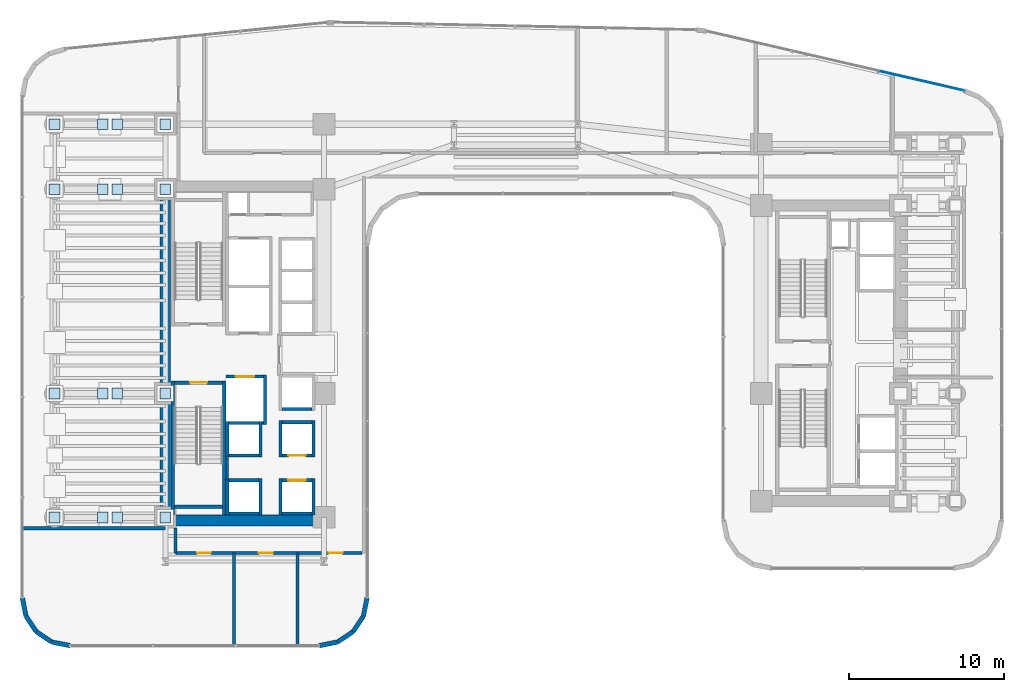
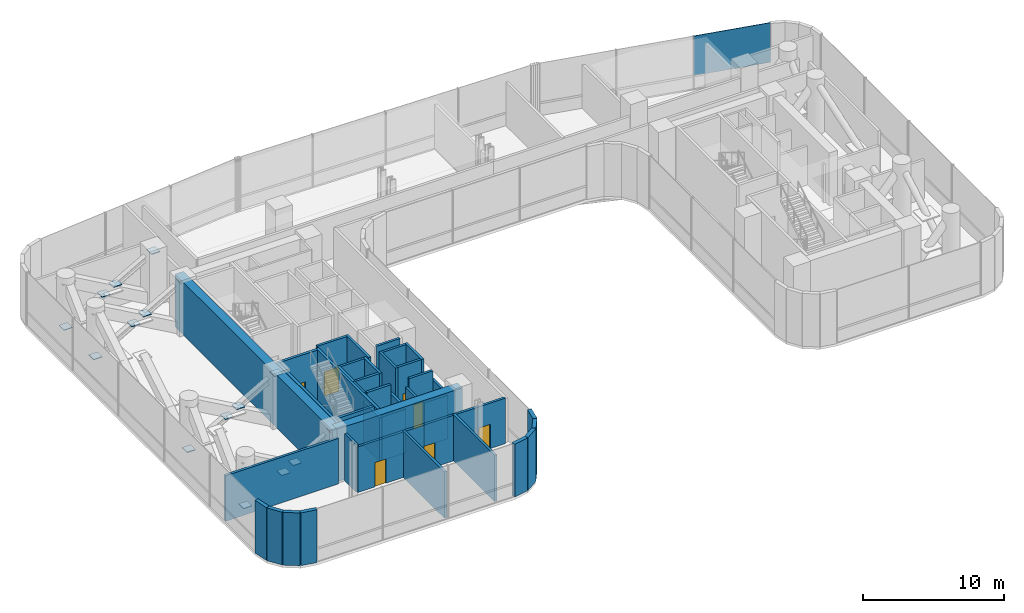
# One storey, part 32 of 39: 39 walls, 17 plates, 7 doors, 7 openings, 1 element without a shape of its own.
"""IFC4 building model written with IfcOpenShell, lengths in metres."""

from ifc_helpers import new_model, si_unit, direction, frame, frame_2d, origin, origin_2d, place, context, subcontext, project, spatial, rectangle, extrude, source, transform, mapped, material, layer, layer_set, type_object, element, fill, aggregate, save


model = new_model("IFC4")

# Units and contexts
model_context = context("Model", 3, precision=1e-05, world=origin(), true_north=direction((0.0, 1.0)))
body_context = subcontext(model_context, "Body", "Model", "MODEL_VIEW")
ifc_project = project(units=[si_unit("LENGTHUNIT", "METRE"), si_unit("AREAUNIT", "SQUARE_METRE"), si_unit("VOLUMEUNIT", "CUBIC_METRE"), si_unit("PLANEANGLEUNIT", "RADIAN"), si_unit("MASSUNIT", "GRAM", prefix="KILO")], contexts=[model_context])

# Site, building, storey
site_placement = place(None, origin())
site = spatial("IfcSite", under=ifc_project, at=site_placement, CompositionType="ELEMENT")
building_placement = place(site_placement, origin())
building = spatial("IfcBuilding", under=site, at=building_placement, Name="Valdorenza Pilgrim Sanctuary Tower", CompositionType="ELEMENT")
storey_placement = place(building_placement, frame((0.0, 0.0, 96.300048828125)))
storey = spatial("IfcBuildingStorey", under=building, at=storey_placement, Name="L24", CompositionType="ELEMENT", Elevation=96.300048828125)

# Plates
ifc_material_1 = material(Name="Steel ASTM A572 Grade 42", Category="steel")
ifc_layer_1 = layer(ifc_material_1, 0.06005859375, Name="Steel ASTM A572 Grade 42")
ifc_layer_set_1 = layer_set([ifc_layer_1], Name="Steel ASTM A572 Grade 42")
plate_type_1 = type_object("IfcPlateType", Name="PLT-CAP-60", PredefinedType="SHEET", material=ifc_layer_set_1)
shared_shape_1 = source(origin(), body_context, "Body", "SweptSolid", [
    extrude(rectangle(XDim=0.699951171875, YDim=0.699951171875, at=origin_2d()), origin(), (0.0, 0.0, 1.0), 0.06005859375),
])
for number, where, z_axis, x_axis, name in (
    (1, (-22.64990234375, -10.60009765625, 4.219970703125), (0.0, 0.0, 1.0), (1.0, 0.0, 0.0), "L24 Outrigger Truss Counter-Diagonal WA1B Lower Segment End Connection Plate 1"),
    (2, (-25.758056640625, -10.60009765625, 2.45947265625), (0.0, 0.0, 1.0), (1.0, 0.0, 0.0), "L24 Outrigger Truss Counter-Diagonal WA1B Lower Segment End Connection Plate 2"),
    (3, (-26.69189453125, -10.60009765625, 1.930419921875), (0.0, 0.0, 1.0), (1.0, 0.0, 0.0), "L24 Outrigger Truss Counter-Diagonal WA1B Upper Segment End Connection Plate 1"),
    (4, (-29.800048828125, -10.60009765625, 0.169921875), (0.0, 0.0, 1.0), (1.0, 0.0, 0.0), "L24 Outrigger Truss Counter-Diagonal WA1B Upper Segment End Connection Plate 2"),
    (5, (-22.64990234375, -2.60009765625, 4.219970703125), (0.0, 0.0, 1.0), (1.0, 0.0, 0.0), "L24 Outrigger Truss Counter-Diagonal WA2B Lower Segment End Connection Plate 1"),
    (6, (-25.758056640625, -2.60009765625, 2.45947265625), (0.0, 0.0, 1.0), (1.0, 0.0, 0.0), "L24 Outrigger Truss Counter-Diagonal WA2B Lower Segment End Connection Plate 2"),
    (7, (-26.69189453125, -2.60009765625, 1.930419921875), (0.0, 0.0, 1.0), (1.0, 0.0, 0.0), "L24 Outrigger Truss Counter-Diagonal WA2B Upper Segment End Connection Plate 1"),
    (8, (-29.800048828125, -2.60009765625, 0.169921875), (0.0, 0.0, 1.0), (1.0, 0.0, 0.0), "L24 Outrigger Truss Counter-Diagonal WA2B Upper Segment End Connection Plate 2"),
    (9, (-22.64990234375, 10.60009765625, 4.219970703125), (0.0, 0.0, 1.0), (1.0, 0.0, 0.0), "L24 Outrigger Truss Counter-Diagonal WA3B Lower Segment End Connection Plate 1"),
    (10, (-25.758056640625, 10.60009765625, 2.45947265625), (0.0, 0.0, 1.0), (1.0, 0.0, 0.0), "L24 Outrigger Truss Counter-Diagonal WA3B Lower Segment End Connection Plate 2"),
    (11, (-26.69189453125, 10.60009765625, 1.930419921875), (0.0, 0.0, 1.0), (1.0, 0.0, 0.0), "L24 Outrigger Truss Counter-Diagonal WA3B Upper Segment End Connection Plate 1"),
    (12, (-29.800048828125, 10.60009765625, 0.169921875), (0.0, 0.0, 1.0), (1.0, 0.0, 0.0), "L24 Outrigger Truss Counter-Diagonal WA3B Upper Segment End Connection Plate 2"),
    (13, (-22.64990234375, 14.800048828125, 4.219970703125), (0.0, 0.0, 1.0), (1.0, 0.0, 0.0), "L24 Outrigger Truss Counter-Diagonal WA4B Lower Segment End Connection Plate 1"),
    (14, (-25.758056640625, 14.800048828125, 2.45947265625), (0.0, 0.0, 1.0), (1.0, 0.0, 0.0), "L24 Outrigger Truss Counter-Diagonal WA4B Lower Segment End Connection Plate 2"),
    (15, (-26.69189453125, 14.800048828125, 1.930419921875), (0.0, 0.0, 1.0), (1.0, 0.0, 0.0), "L24 Outrigger Truss Counter-Diagonal WA4B Upper Segment End Connection Plate 1"),
    (16, (-29.800048828125, 14.800048828125, 0.169921875), (0.0, 0.0, 1.0), (1.0, 0.0, 0.0), "L24 Outrigger Truss Counter-Diagonal WA4B Upper Segment End Connection Plate 2"),
):
    element("IfcPlate", number, at=place(storey_placement, frame(where, z_axis=z_axis, x_axis=x_axis)), inside=storey, type_object=plate_type_1, Name=name, PredefinedType="SHEET", context=body_context, shape_type="MappedRepresentation", body=[
        mapped(shared_shape_1, transform((0.0, 0.0, 0.0), x_axis=(1.0, 0.0, 0.0), y_axis=(0.0, 1.0, 0.0), z_axis=(0.0, 0.0, 1.0), scale=1.0)),
    ])

# Curtain wall, plate
ifc_material_2 = material(Name="Curtain-wall IGU glazing", Category="glass")
curtain_wall_type = type_object("IfcCurtainWallType", Name="CW-SYS-03", PredefinedType="NOTDEFINED", material=ifc_material_2)
curtain_wall_placement = place(storey_placement, origin())
curtain_wall = element("IfcCurtainWall", 17, at=curtain_wall_placement, inside=storey, type_object=curtain_wall_type, Name="L24 Curtain Wall CW-L24-1-16", PredefinedType="NOTDEFINED")
ifc_material_3 = material(Name="Champagne anodised aluminium", Category="aluminium")
ifc_layer_2 = layer(ifc_material_3, 0.080078125, Name="Champagne anodised aluminium")
ifc_layer_set_2 = layer_set([ifc_layer_2], Name="Champagne anodised aluminium")
plate_type_2 = type_object("IfcPlateType", Name="LVR-PLT-ALU", PredefinedType="USERDEFINED", material=ifc_layer_set_2)
shared_shape_2 = source(origin(), body_context, "Body", "SweptSolid", [
    extrude(rectangle(XDim=5.6884765625, YDim=0.050048828125, at=origin_2d()), origin(), (0.0, 0.0, 1.0), 3.419921875),
])
plate_placement = place(storey_placement, frame((26.20458984375, 17.609130859375, 1.1298828125), z_axis=(0.0, 0.0, 1.0), x_axis=(0.974389691758, -0.224866023659, 0.0)))
plate = element("IfcPlate", 18, at=plate_placement, type_object=plate_type_2, Name="CW-L24-1-16 Facade Panel 3", ObjectType="LOUVRE", PredefinedType="USERDEFINED", context=body_context, shape_type="MappedRepresentation", body=[
    mapped(shared_shape_2, transform((0.0, 0.0, 0.0), x_axis=(1.0, 0.0, 0.0), y_axis=(0.0, 1.0, 0.0), z_axis=(0.0, 0.0, 1.0), scale=1.0)),
])
aggregate(curtain_wall, [plate])

# Walls
ifc_material_4 = material(Name="Acoustic twin-stud gypsum partition", Category="gypsum")
ifc_layer_3 = layer(ifc_material_4, 0.159912109375, Name="Acoustic twin-stud gypsum partition")
ifc_layer_set_3 = layer_set([ifc_layer_3], Name="Acoustic twin-stud gypsum partition")
wall_type_1 = type_object("IfcWallType", Name="WAL-COR-160", PredefinedType="PARTITIONING", material=ifc_layer_set_3)
wall_1_placement = place(storey_placement, frame((-18.64990234375, -8.179931640625, 0.0), z_axis=(0.0, 0.0, 1.0), x_axis=(0.0, 1.0, 0.0)))
element("IfcWall", 19, at=wall_1_placement, inside=storey, type_object=wall_type_1, Name="L24 Core A South Lift Hall West Wall", PredefinedType="PARTITIONING", context=body_context, shape_type="SweptSolid", body=[
    extrude(rectangle(XDim=1.559814453125, YDim=0.159912109375, at=frame_2d((0.77978515625, 0.0))), origin(), (0.0, 0.0, 1.0), 4.56005859375),
])
ifc_material_5 = material(Name="Concrete C60/75", Category="concrete")
ifc_layer_4 = layer(ifc_material_5, 0.699951171875, Name="Concrete C60/75")
ifc_layer_set_4 = layer_set([ifc_layer_4], Name="Concrete C60/75")
wall_type_2 = type_object("IfcWallType", Name="WAL-COR-700", PredefinedType="SHEAR", material=ifc_layer_set_4)
wall_2_placement = place(storey_placement, frame((-22.64990234375, -11.14990234375, 0.0), z_axis=(0.0, 0.0, 1.0), x_axis=(0.0, 1.0, 0.0)))
element("IfcWall", 20, at=wall_2_placement, inside=storey, type_object=wall_type_2, Name="L24 Split Core A Shear Wall W", PredefinedType="SHEAR", context=body_context, shape_type="SweptSolid", body=[
    extrude(rectangle(XDim=22.2998046875, YDim=0.699951171875, at=frame_2d((11.14990234375, 0.0))), origin(), (0.0, 0.0, 1.0), 4.56005859375),
])
wall_3_placement = place(storey_placement, frame((-22.64990234375, -10.800048828125, 0.0), z_axis=(0.0, 0.0, 1.0), x_axis=(1.0, 0.0, 0.0)))
element("IfcWall", 21, at=wall_3_placement, inside=storey, type_object=wall_type_2, Name="L24 Split Core A Shear Wall S", PredefinedType="SHEAR", context=body_context, shape_type="SweptSolid", body=[
    extrude(rectangle(XDim=10.25, YDim=0.699951171875, at=frame_2d((5.125, 0.0))), origin(), (0.0, 0.0, 1.0), 4.56005859375),
])
ifc_material_6 = material(Name="Honed travertine limestone", Category="masonry")
ifc_layer_5 = layer(ifc_material_6, 0.300048828125, Name="Honed travertine limestone")
ifc_layer_set_5 = layer_set([ifc_layer_5], Name="Honed travertine limestone")
wall_type_3 = type_object("IfcWallType", Name="WAL-EXT-300", PredefinedType="SOLIDWALL", material=ifc_layer_set_5)
wall_4_placement = place(storey_placement, frame((-9.610107421875, -15.789306640625, 0.0), z_axis=(0.0, 0.0, 1.0), x_axis=(-0.194996050505, -0.980804027463, 0.0)))
element("IfcWall", 22, at=wall_4_placement, inside=storey, type_object=wall_type_3, Name="L24 Rounded Wind-Corner Stone Pier 42", PredefinedType="SOLIDWALL", context=body_context, shape_type="SweptSolid", body=[
    extrude(rectangle(XDim=1.2158203125, YDim=0.300048828125, at=frame_2d((0.60791015625, 0.0))), origin(), (0.0, 0.0, 1.0), 4.56005859375),
])
for number, where, z_axis, x_axis, name in (
    (23, (-9.84716796875, -16.981689453125, 0.0), (0.0, 0.0, 1.0), (-0.555635100982, -0.831426265255, 0.0), "L24 Rounded Wind-Corner Stone Pier 43"),
    (24, (-10.5166015625, -17.9833984375, 0.0), (0.0, 0.0, 1.0), (-0.831426265255, -0.555635100982, 0.0), "L24 Rounded Wind-Corner Stone Pier 44"),
):
    element("IfcWall", number, at=place(storey_placement, frame(where, z_axis=z_axis, x_axis=x_axis)), inside=storey, type_object=wall_type_3, Name=name, PredefinedType="SOLIDWALL", context=body_context, shape_type="SweptSolid", body=[
        extrude(rectangle(XDim=1.204833984375, YDim=0.300048828125, at=frame_2d((0.6025390625, 0.0))), origin(), (0.0, 0.0, 1.0), 4.56005859375),
    ])
for number, where, z_axis, x_axis, name in (
    (25, (-11.518310546875, -18.65283203125, 0.0), (0.0, 0.0, 1.0), (-0.980804027463, -0.194996050505, 0.0), "L24 Rounded Wind-Corner Stone Pier 45"),
    (26, (-28.789306640625, -18.889892578125, 0.0), (0.0, 0.0, 1.0), (-0.980804027463, 0.194996050505, 0.0), "L24 Rounded Wind-Corner Stone Pier 47"),
):
    element("IfcWall", number, at=place(storey_placement, frame(where, z_axis=z_axis, x_axis=x_axis)), inside=storey, type_object=wall_type_3, Name=name, PredefinedType="SOLIDWALL", context=body_context, shape_type="SweptSolid", body=[
        extrude(rectangle(XDim=1.2158203125, YDim=0.300048828125, at=frame_2d((0.60791015625, 0.0))), origin(), (0.0, 0.0, 1.0), 4.56005859375),
    ])
for number, where, z_axis, x_axis, name in (
    (27, (-29.981689453125, -18.65283203125, 0.0), (0.0, 0.0, 1.0), (-0.831426265255, 0.555635100982, 0.0), "L24 Rounded Wind-Corner Stone Pier 48"),
    (28, (-30.9833984375, -17.9833984375, 0.0), (0.0, 0.0, 1.0), (-0.555635100982, 0.831426265255, 0.0), "L24 Rounded Wind-Corner Stone Pier 49"),
):
    element("IfcWall", number, at=place(storey_placement, frame(where, z_axis=z_axis, x_axis=x_axis)), inside=storey, type_object=wall_type_3, Name=name, PredefinedType="SOLIDWALL", context=body_context, shape_type="SweptSolid", body=[
        extrude(rectangle(XDim=1.204833984375, YDim=0.300048828125, at=frame_2d((0.6025390625, 0.0))), origin(), (0.0, 0.0, 1.0), 4.56005859375),
    ])
wall_5_placement = place(storey_placement, frame((-31.65283203125, -16.981689453125, 0.0), z_axis=(0.0, 0.0, 1.0), x_axis=(-0.194996050505, 0.980804027463, 0.0)))
element("IfcWall", 29, at=wall_5_placement, inside=storey, type_object=wall_type_3, Name="L24 Rounded Wind-Corner Stone Pier 50", PredefinedType="SOLIDWALL", context=body_context, shape_type="SweptSolid", body=[
    extrude(rectangle(XDim=1.2158203125, YDim=0.300048828125, at=frame_2d((0.60791015625, 0.0))), origin(), (0.0, 0.0, 1.0), 4.56005859375),
])
ifc_material_7 = material(Name="Gypsum shaftwall partition", Category="gypsum")
ifc_layer_6 = layer(ifc_material_7, 0.199951171875, Name="Gypsum shaftwall partition")
ifc_layer_set_6 = layer_set([ifc_layer_6], Name="Gypsum shaftwall partition")
wall_type_4 = type_object("IfcWallType", Name="WAL-FFL-200", PredefinedType="PARTITIONING", material=ifc_layer_set_6)
wall_6_placement = place(storey_placement, frame((-31.889892578125, -11.300048828125, 0.0), z_axis=(0.0, 0.0, 1.0), x_axis=(1.0, 0.0, 0.0)))
element("IfcWall", 30, at=wall_6_placement, inside=storey, type_object=wall_type_4, Name="L24 L24 Outrigger Bay South Wall", PredefinedType="PARTITIONING", context=body_context, shape_type="SweptSolid", body=[
    extrude(rectangle(XDim=9.239990234375, YDim=0.199951171875, at=frame_2d((4.6201171875, 0.0))), origin(), (0.0, 0.0, 1.0), 3.933837890625),
])

# Wall, openings, doors
wall_7_placement = place(storey_placement, frame((-22.0, -12.89990234375, 0.0), z_axis=(0.0, 0.0, 1.0), x_axis=(1.0, 0.0, 0.0)))
wall_7 = element("IfcWall", 31, at=wall_7_placement, inside=storey, type_object=wall_type_4, Name="L24 L24 South Plant Corridor Wall", PredefinedType="PARTITIONING", context=body_context, shape_type="SweptSolid", body=[
    extrude(rectangle(XDim=12.050048828125, YDim=0.199951171875, at=frame_2d((6.02490234375, 0.0))), origin(), (0.0, 0.0, 1.0), 3.933837890625),
])
opening_1_placement = place(wall_7_placement, frame((1.39990234375, 0.0, 0.0)))
opening_1 = element("IfcOpeningElement", 32, at=opening_1_placement, cuts=wall_7, Name="Opening DR-RM1", PredefinedType="OPENING", context=body_context, shape_type="SweptSolid", body=[
    extrude(rectangle(XDim=0.89990234375, YDim=2.10009765625, at=frame_2d((0.449951171875, 1.050048828125))), frame((0.0, 0.11474609375, 0.0), z_axis=(0.0, -1.0, 0.0), x_axis=(1.0, 0.0, 0.0)), (0.0, 0.0, 1.0), 0.229736328125),
])
opening_2_placement = place(wall_7_placement, frame((5.39990234375, 0.0, 0.0)))
opening_2 = element("IfcOpeningElement", 33, at=opening_2_placement, cuts=wall_7, Name="Opening DR-RM1", PredefinedType="OPENING", context=body_context, shape_type="SweptSolid", body=[
    extrude(rectangle(XDim=0.89990234375, YDim=2.10009765625, at=frame_2d((0.449951171875, 1.050048828125))), frame((0.0, 0.11474609375, 0.0), z_axis=(0.0, -1.0, 0.0), x_axis=(1.0, 0.0, 0.0)), (0.0, 0.0, 1.0), 0.229736328125),
])
opening_3_placement = place(wall_7_placement, frame((9.89990234375, 0.0, 0.0)))
opening_3 = element("IfcOpeningElement", 34, at=opening_3_placement, cuts=wall_7, Name="Opening DR-RM1", PredefinedType="OPENING", context=body_context, shape_type="SweptSolid", body=[
    extrude(rectangle(XDim=0.89990234375, YDim=2.10009765625, at=frame_2d((0.449951171875, 1.050048828125))), frame((0.0, 0.11474609375, 0.0), z_axis=(0.0, -1.0, 0.0), x_axis=(1.0, 0.0, 0.0)), (0.0, 0.0, 1.0), 0.229736328125),
])
ifc_material_8 = material(Name="Solid-core European oak timber", Category="wood")
door_type_1 = type_object("IfcDoorType", Name="DR-ROOM-900", OperationType="NOTDEFINED", PredefinedType="DOOR", material=ifc_material_8)
door_1_placement = place(opening_1_placement, origin())
door_1 = element("IfcDoor", 35, at=door_1_placement, inside=storey, type_object=door_type_1, Name="L24 L24 Chilled-Water Booster Plant Room Door", OperationType="SINGLE_SWING_RIGHT", OverallHeight=2.10009765625, OverallWidth=0.89990234375, PredefinedType="DOOR", context=body_context, shape_type="SweptSolid", body=[
    extrude(rectangle(XDim=0.89990234375, YDim=2.10009765625, at=frame_2d((0.449951171875, 1.050048828125))), frame((0.0, 0.02490234375, 0.0), z_axis=(0.0, -1.0, 0.0), x_axis=(1.0, 0.0, 0.0)), (0.0, 0.0, 1.0), 0.050048828125),
])
fill(opening_1, door_1)
door_2_placement = place(opening_2_placement, frame((0.89990234375, 0.0, 0.0), z_axis=(0.0, 0.0, 1.0), x_axis=(-1.0, 0.0, 0.0)))
door_2 = element("IfcDoor", 36, at=door_2_placement, inside=storey, type_object=door_type_1, Name="L24 L24 Primary Air-Handling Plant Room Door", OperationType="SINGLE_SWING_LEFT", OverallHeight=2.10009765625, OverallWidth=0.89990234375, PredefinedType="DOOR", context=body_context, shape_type="SweptSolid", body=[
    extrude(rectangle(XDim=0.89990234375, YDim=2.10009765625, at=frame_2d((0.449951171875, 1.050048828125))), frame((0.0, 0.02490234375, 0.0), z_axis=(0.0, -1.0, 0.0), x_axis=(1.0, 0.0, 0.0)), (0.0, 0.0, 1.0), 0.050048828125),
])
fill(opening_2, door_2)
door_3_placement = place(opening_3_placement, origin())
door_3 = element("IfcDoor", 37, at=door_3_placement, inside=storey, type_object=door_type_1, Name="L24 L24 Electrical Substation Transformer Plant Room Door", OperationType="SINGLE_SWING_RIGHT", OverallHeight=2.10009765625, OverallWidth=0.89990234375, PredefinedType="DOOR", context=body_context, shape_type="SweptSolid", body=[
    extrude(rectangle(XDim=0.89990234375, YDim=2.10009765625, at=frame_2d((0.449951171875, 1.050048828125))), frame((0.0, 0.02490234375, 0.0), z_axis=(0.0, -1.0, 0.0), x_axis=(1.0, 0.0, 0.0)), (0.0, 0.0, 1.0), 0.050048828125),
])
fill(opening_3, door_3)

# Walls
for number, where, z_axis, x_axis, name in (
    (38, (-18.199951171875, -18.800048828125, 0.0), (0.0, 0.0, 1.0), (0.0, 1.0, 0.0), "L24 L24 South Plant Divider 1"),
    (39, (-14.10009765625, -18.800048828125, 0.0), (0.0, 0.0, 1.0), (0.0, 1.0, 0.0), "L24 L24 South Plant Divider 2"),
):
    element("IfcWall", number, at=place(storey_placement, frame(where, z_axis=z_axis, x_axis=x_axis)), inside=storey, type_object=wall_type_4, Name=name, PredefinedType="PARTITIONING", context=body_context, shape_type="SweptSolid", body=[
        extrude(rectangle(XDim=5.900146484375, YDim=0.199951171875, at=frame_2d((2.9501953125, 0.0))), origin(), (0.0, 0.0, 1.0), 3.995849609375),
    ])
wall_8_placement = place(storey_placement, frame((-22.0, -12.89990234375, 0.0), z_axis=(0.0, 0.0, 1.0), x_axis=(0.0, 1.0, 0.0)))
element("IfcWall", 40, at=wall_8_placement, inside=storey, type_object=wall_type_4, Name="L24 L24 South Corridor West End", PredefinedType="PARTITIONING", context=body_context, shape_type="SweptSolid", body=[
    extrude(rectangle(XDim=1.599853515625, YDim=0.199951171875, at=frame_2d((0.7998046875, 0.0))), origin(), (0.0, 0.0, 1.0), 4.087890625),
])
ifc_material_9 = material(Name="Autoclaved aerated concrete blockwork", Category="masonry")
ifc_layer_7 = layer(ifc_material_9, 0.199951171875, Name="Autoclaved aerated concrete blockwork")
ifc_layer_set_7 = layer_set([ifc_layer_7], Name="Autoclaved aerated concrete blockwork")
wall_type_5 = type_object("IfcWallType", Name="WAL-SHF-200", PredefinedType="MOVABLE", material=ifc_layer_set_7)
wall_9_placement = place(storey_placement, frame((-16.199951171875, -4.60009765625, 0.0), z_axis=(0.0, 0.0, 1.0), x_axis=(0.0, 1.0, 0.0)))
element("IfcWall", 41, at=wall_9_placement, inside=storey, type_object=wall_type_5, Name="L24 Lift FFL-02 Hoistway Wall East", PredefinedType="MOVABLE", context=body_context, shape_type="SweptSolid", body=[
    extrude(rectangle(XDim=3.2001953125, YDim=0.199951171875, at=frame_2d((1.60009765625, 0.0))), origin(), (0.0, 0.0, 1.0), 4.56005859375),
])
wall_10_placement = place(storey_placement, frame((-18.719970703125, -4.5, 0.0), z_axis=(0.0, 0.0, 1.0), x_axis=(1.0, 0.0, 0.0)))
element("IfcWall", 42, at=wall_10_placement, inside=storey, type_object=wall_type_5, Name="L24 Lift FFL-02 Hoistway Wall South", PredefinedType="MOVABLE", context=body_context, shape_type="SweptSolid", body=[
    extrude(rectangle(XDim=2.419921875, YDim=0.199951171875, at=frame_2d((1.2099609375, 0.0))), origin(), (0.0, 0.0, 1.0), 4.56005859375),
])

# Wall, opening, door
wall_11_placement = place(storey_placement, frame((-18.719970703125, -1.5, 0.0), z_axis=(0.0, 0.0, 1.0), x_axis=(1.0, 0.0, 0.0)))
wall_11 = element("IfcWall", 43, at=wall_11_placement, inside=storey, type_object=wall_type_5, Name="L24 Lift FFL-02 Hoistway Wall North", PredefinedType="MOVABLE", context=body_context, shape_type="SweptSolid", body=[
    extrude(rectangle(XDim=2.419921875, YDim=0.199951171875, at=frame_2d((1.2099609375, 0.0))), origin(), (0.0, 0.0, 1.0), 4.56005859375),
])
opening_4_placement = place(wall_11_placement, frame((0.610107421875, 0.0, 0.0)))
opening_4 = element("IfcOpeningElement", 44, at=opening_4_placement, cuts=wall_11, Name="Opening LD-02", PredefinedType="OPENING", context=body_context, shape_type="SweptSolid", body=[
    extrude(rectangle(XDim=1.199951171875, YDim=2.10009765625, at=frame_2d((0.60009765625, 1.050048828125))), frame((0.0, 0.11474609375, 0.0), z_axis=(0.0, -1.0, 0.0), x_axis=(1.0, 0.0, 0.0)), (0.0, 0.0, 1.0), 0.229736328125),
])
ifc_material_10 = material(Name="Brushed stainless steel Grade 316", Category="steel")
door_type_2 = type_object("IfcDoorType", Name="DR-LFT-1200", OperationType="DOUBLE_DOOR_SLIDING", PredefinedType="DOOR", material=ifc_material_10)
door_4_placement = place(opening_4_placement, origin())
door_4 = element("IfcDoor", 45, at=door_4_placement, inside=storey, type_object=door_type_2, Name="L24 Lift FFL-02 Sliding Landing Door", OperationType="DOUBLE_DOOR_SLIDING", OverallHeight=2.10009765625, OverallWidth=1.199951171875, PredefinedType="DOOR", context=body_context, shape_type="SweptSolid", body=[
    extrude(rectangle(XDim=1.199951171875, YDim=2.10009765625, at=frame_2d((0.60009765625, 1.050048828125))), frame((0.0, 0.02490234375, 0.0), z_axis=(0.0, -1.0, 0.0), x_axis=(1.0, 0.0, 0.0)), (0.0, 0.0, 1.0), 0.050048828125),
])
fill(opening_4, door_4)

# Walls
for number, where, z_axis, x_axis, name in (
    (46, (-15.199951171875, -10.449951171875, 0.0), (0.0, 0.0, 1.0), (0.0, 1.0, 0.0), "L24 Lift PL-01 Hoistway Wall West"),
    (47, (-13.080078125, -10.449951171875, 0.0), (0.0, 0.0, 1.0), (0.0, 1.0, 0.0), "L24 Lift PL-01 Hoistway Wall East"),
):
    element("IfcWall", number, at=place(storey_placement, frame(where, z_axis=z_axis, x_axis=x_axis)), inside=storey, type_object=wall_type_5, Name=name, PredefinedType="MOVABLE", context=body_context, shape_type="SweptSolid", body=[
        extrude(rectangle(XDim=2.349853515625, YDim=0.199951171875, at=frame_2d((1.1748046875, 0.0))), origin(), (0.0, 0.0, 1.0), 3.765869140625),
    ])
wall_12_placement = place(storey_placement, frame((-15.10009765625, -10.35009765625, 0.0), z_axis=(0.0, 0.0, 1.0), x_axis=(1.0, 0.0, 0.0)))
element("IfcWall", 48, at=wall_12_placement, inside=storey, type_object=wall_type_5, Name="L24 Lift PL-01 Hoistway Wall South", PredefinedType="MOVABLE", context=body_context, shape_type="SweptSolid", body=[
    extrude(rectangle(XDim=1.920166015625, YDim=0.199951171875, at=frame_2d((0.9599609375, 0.0))), origin(), (0.0, 0.0, 1.0), 3.765869140625),
])

# Wall, opening, door
wall_13_placement = place(storey_placement, frame((-15.10009765625, -8.199951171875, 0.0), z_axis=(0.0, 0.0, 1.0), x_axis=(1.0, 0.0, 0.0)))
wall_13 = element("IfcWall", 49, at=wall_13_placement, inside=storey, type_object=wall_type_5, Name="L24 Lift PL-01 Hoistway Wall North", PredefinedType="MOVABLE", context=body_context, shape_type="SweptSolid", body=[
    extrude(rectangle(XDim=1.920166015625, YDim=0.199951171875, at=frame_2d((0.9599609375, 0.0))), origin(), (0.0, 0.0, 1.0), 4.56005859375),
])
opening_5_placement = place(wall_13_placement, frame((0.409912109375, 0.0, 0.0)))
opening_5 = element("IfcOpeningElement", 50, at=opening_5_placement, cuts=wall_13, Name="Opening LD-01", PredefinedType="OPENING", context=body_context, shape_type="SweptSolid", body=[
    extrude(rectangle(XDim=1.10009765625, YDim=2.10009765625, at=frame_2d((0.550048828125, 1.050048828125))), frame((0.0, 0.11474609375, 0.0), z_axis=(0.0, -1.0, 0.0), x_axis=(1.0, 0.0, 0.0)), (0.0, 0.0, 1.0), 0.229736328125),
])
door_type_3 = type_object("IfcDoorType", Name="DR-LFT-1100", OperationType="DOUBLE_DOOR_SLIDING", PredefinedType="DOOR", material=ifc_material_10)
door_5_placement = place(opening_5_placement, origin())
door_5 = element("IfcDoor", 51, at=door_5_placement, inside=storey, type_object=door_type_3, Name="L24 Lift PL-01 Sliding Landing Door", OperationType="DOUBLE_DOOR_SLIDING", OverallHeight=2.10009765625, OverallWidth=1.10009765625, PredefinedType="DOOR", context=body_context, shape_type="SweptSolid", body=[
    extrude(rectangle(XDim=1.10009765625, YDim=2.10009765625, at=frame_2d((0.550048828125, 1.050048828125))), frame((0.0, 0.02490234375, 0.0), z_axis=(0.0, -1.0, 0.0), x_axis=(1.0, 0.0, 0.0)), (0.0, 0.0, 1.0), 0.050048828125),
])
fill(opening_5, door_5)

# Walls
for number, where, z_axis, x_axis, name in (
    (52, (-15.199951171875, -6.699951171875, 0.0), (0.0, 0.0, 1.0), (0.0, 1.0, 0.0), "L24 Lift PL-02 Hoistway Wall West"),
    (53, (-13.080078125, -6.699951171875, 0.0), (0.0, 0.0, 1.0), (0.0, 1.0, 0.0), "L24 Lift PL-02 Hoistway Wall East"),
):
    element("IfcWall", number, at=place(storey_placement, frame(where, z_axis=z_axis, x_axis=x_axis)), inside=storey, type_object=wall_type_5, Name=name, PredefinedType="MOVABLE", context=body_context, shape_type="SweptSolid", body=[
        extrude(rectangle(XDim=2.349853515625, YDim=0.199951171875, at=frame_2d((1.1748046875, 0.0))), origin(), (0.0, 0.0, 1.0), 4.56005859375),
    ])

# Wall, opening, door
wall_14_placement = place(storey_placement, frame((-15.10009765625, -6.60009765625, 0.0), z_axis=(0.0, 0.0, 1.0), x_axis=(1.0, 0.0, 0.0)))
wall_14 = element("IfcWall", 54, at=wall_14_placement, inside=storey, type_object=wall_type_5, Name="L24 Lift PL-02 Hoistway Wall South", PredefinedType="MOVABLE", context=body_context, shape_type="SweptSolid", body=[
    extrude(rectangle(XDim=1.920166015625, YDim=0.199951171875, at=frame_2d((0.9599609375, 0.0))), origin(), (0.0, 0.0, 1.0), 4.56005859375),
])
opening_6_placement = place(wall_14_placement, frame((0.409912109375, 0.0, 0.0)))
opening_6 = element("IfcOpeningElement", 55, at=opening_6_placement, cuts=wall_14, Name="Opening LD-01", PredefinedType="OPENING", context=body_context, shape_type="SweptSolid", body=[
    extrude(rectangle(XDim=1.10009765625, YDim=2.10009765625, at=frame_2d((0.550048828125, 1.050048828125))), frame((0.0, 0.11474609375, 0.0), z_axis=(0.0, -1.0, 0.0), x_axis=(1.0, 0.0, 0.0)), (0.0, 0.0, 1.0), 0.229736328125),
])
door_6_placement = place(opening_6_placement, origin())
door_6 = element("IfcDoor", 56, at=door_6_placement, inside=storey, type_object=door_type_3, Name="L24 Lift PL-02 Sliding Landing Door", OperationType="DOUBLE_DOOR_SLIDING", OverallHeight=2.10009765625, OverallWidth=1.10009765625, PredefinedType="DOOR", context=body_context, shape_type="SweptSolid", body=[
    extrude(rectangle(XDim=1.10009765625, YDim=2.10009765625, at=frame_2d((0.550048828125, 1.050048828125))), frame((0.0, 0.02490234375, 0.0), z_axis=(0.0, -1.0, 0.0), x_axis=(1.0, 0.0, 0.0)), (0.0, 0.0, 1.0), 0.050048828125),
])
fill(opening_6, door_6)

# Walls
wall_15_placement = place(storey_placement, frame((-15.10009765625, -4.449951171875, 0.0), z_axis=(0.0, 0.0, 1.0), x_axis=(1.0, 0.0, 0.0)))
element("IfcWall", 57, at=wall_15_placement, inside=storey, type_object=wall_type_5, Name="L24 Lift PL-02 Hoistway Wall North", PredefinedType="MOVABLE", context=body_context, shape_type="SweptSolid", body=[
    extrude(rectangle(XDim=1.920166015625, YDim=0.199951171875, at=frame_2d((0.9599609375, 0.0))), origin(), (0.0, 0.0, 1.0), 4.56005859375),
])
for number, where, z_axis, x_axis, name in (
    (58, (-18.64990234375, -10.449951171875, 0.0), (0.0, 0.0, 1.0), (0.0, 1.0, 0.0), "L24 Lift PL-05 Hoistway Wall West"),
    (59, (-16.5, -10.449951171875, 0.0), (0.0, 0.0, 1.0), (0.0, 1.0, 0.0), "L24 Lift PL-05 Hoistway Wall East"),
):
    element("IfcWall", number, at=place(storey_placement, frame(where, z_axis=z_axis, x_axis=x_axis)), inside=storey, type_object=wall_type_5, Name=name, PredefinedType="MOVABLE", context=body_context, shape_type="SweptSolid", body=[
        extrude(rectangle(XDim=2.349853515625, YDim=0.199951171875, at=frame_2d((1.1748046875, 0.0))), origin(), (0.0, 0.0, 1.0), 3.765869140625),
    ])
wall_16_placement = place(storey_placement, frame((-18.550048828125, -10.35009765625, 0.0), z_axis=(0.0, 0.0, 1.0), x_axis=(1.0, 0.0, 0.0)))
element("IfcWall", 60, at=wall_16_placement, inside=storey, type_object=wall_type_5, Name="L24 Lift PL-05 Hoistway Wall South", PredefinedType="MOVABLE", context=body_context, shape_type="SweptSolid", body=[
    extrude(rectangle(XDim=1.949951171875, YDim=0.199951171875, at=frame_2d((0.97509765625, 0.0))), origin(), (0.0, 0.0, 1.0), 3.765869140625),
])
wall_17_placement = place(storey_placement, frame((-18.550048828125, -8.199951171875, 0.0), z_axis=(0.0, 0.0, 1.0), x_axis=(1.0, 0.0, 0.0)))
element("IfcWall", 61, at=wall_17_placement, inside=storey, type_object=wall_type_5, Name="L24 Lift PL-05 Hoistway Wall North", PredefinedType="MOVABLE", context=body_context, shape_type="SweptSolid", body=[
    extrude(rectangle(XDim=1.949951171875, YDim=0.199951171875, at=frame_2d((0.97509765625, 0.0))), origin(), (0.0, 0.0, 1.0), 4.56005859375),
])
for number, where, z_axis, x_axis, name in (
    (62, (-18.64990234375, -6.699951171875, 0.0), (0.0, 0.0, 1.0), (0.0, 1.0, 0.0), "L24 Lift PL-11 Hoistway Wall West"),
    (63, (-16.5, -6.699951171875, 0.0), (0.0, 0.0, 1.0), (0.0, 1.0, 0.0), "L24 Lift PL-11 Hoistway Wall East"),
):
    element("IfcWall", number, at=place(storey_placement, frame(where, z_axis=z_axis, x_axis=x_axis)), inside=storey, type_object=wall_type_5, Name=name, PredefinedType="MOVABLE", context=body_context, shape_type="SweptSolid", body=[
        extrude(rectangle(XDim=2.300048828125, YDim=0.199951171875, at=frame_2d((1.14990234375, 0.0))), origin(), (0.0, 0.0, 1.0), 4.56005859375),
    ])
wall_18_placement = place(storey_placement, frame((-18.550048828125, -6.60009765625, 0.0), z_axis=(0.0, 0.0, 1.0), x_axis=(1.0, 0.0, 0.0)))
element("IfcWall", 64, at=wall_18_placement, inside=storey, type_object=wall_type_5, Name="L24 Lift PL-11 Hoistway Wall South", PredefinedType="MOVABLE", context=body_context, shape_type="SweptSolid", body=[
    extrude(rectangle(XDim=1.949951171875, YDim=0.199951171875, at=frame_2d((0.97509765625, 0.0))), origin(), (0.0, 0.0, 1.0), 4.56005859375),
])
wall_19_placement = place(storey_placement, frame((-15.10009765625, -3.60009765625, 0.0), z_axis=(0.0, 0.0, 1.0), x_axis=(1.0, 0.0, 0.0)))
element("IfcWall", 65, at=wall_19_placement, inside=storey, type_object=wall_type_5, Name="L24 Lift PL-12 Hoistway Wall South", PredefinedType="MOVABLE", context=body_context, shape_type="SweptSolid", body=[
    extrude(rectangle(XDim=1.920166015625, YDim=0.199951171875, at=frame_2d((0.9599609375, 0.0))), origin(), (0.0, 0.0, 1.0), 4.56005859375),
])
ifc_material_11 = material(Name="Concrete C40/50", Category="concrete")
ifc_layer_8 = layer(ifc_material_11, 0.219970703125, Name="Concrete C40/50")
ifc_layer_set_8 = layer_set([ifc_layer_8], Name="Concrete C40/50")
wall_type_6 = type_object("IfcWallType", Name="WAL-STR-SHF-220", PredefinedType="SHEAR", material=ifc_layer_set_8)
for number, where, z_axis, x_axis, name in (
    (66, (-22.159912109375, -10.449951171875, 0.0), (0.0, 0.0, 1.0), (0.0, 1.0, 0.0), "L24 ST-A2 Structural Stairwell Wall W"),
    (67, (-18.830078125, -10.449951171875, 0.0), (0.0, 0.0, 1.0), (0.0, 1.0, 0.0), "L24 ST-A2 Structural Stairwell Wall E"),
):
    element("IfcWall", number, at=place(storey_placement, frame(where, z_axis=z_axis, x_axis=x_axis)), inside=storey, type_object=wall_type_6, Name=name, PredefinedType="SHEAR", context=body_context, shape_type="SweptSolid", body=[
        extrude(rectangle(XDim=8.669921875, YDim=0.219970703125, at=frame_2d((4.3349609375, 0.0))), origin(), (0.0, 0.0, 1.0), 4.56005859375),
    ])
wall_20_placement = place(storey_placement, frame((-22.050048828125, -9.909912109375, 0.0), z_axis=(0.0, 0.0, 1.0), x_axis=(1.0, 0.0, 0.0)))
element("IfcWall", 68, at=wall_20_placement, inside=storey, type_object=wall_type_6, Name="L24 ST-A2 Structural Stairwell Wall S", PredefinedType="SHEAR", context=body_context, shape_type="SweptSolid", body=[
    extrude(rectangle(XDim=3.110107421875, YDim=0.219970703125, at=frame_2d((1.55517578125, 0.0))), origin(), (0.0, 0.0, 1.0), 4.56005859375),
])

# Wall, opening, door
wall_21_placement = place(storey_placement, frame((-22.050048828125, -1.889892578125, 0.0), z_axis=(0.0, 0.0, 1.0), x_axis=(1.0, 0.0, 0.0)))
wall_21 = element("IfcWall", 69, at=wall_21_placement, inside=storey, type_object=wall_type_6, Name="L24 ST-A2 Structural Stairwell Wall N", PredefinedType="SHEAR", context=body_context, shape_type="SweptSolid", body=[
    extrude(rectangle(XDim=3.110107421875, YDim=0.219970703125, at=frame_2d((1.55517578125, 0.0))), origin(), (0.0, 0.0, 1.0), 4.56005859375),
])
opening_7_placement = place(wall_21_placement, frame((1.0, 0.0, 0.0)))
opening_7 = element("IfcOpeningElement", 70, at=opening_7_placement, cuts=wall_21, Name="Opening DR-ST1", PredefinedType="OPENING", context=body_context, shape_type="SweptSolid", body=[
    extrude(rectangle(XDim=1.10009765625, YDim=2.14990234375, at=frame_2d((0.550048828125, 1.074951171875))), frame((0.0, 0.125, 0.0), z_axis=(0.0, -1.0, 0.0), x_axis=(1.0, 0.0, 0.0)), (0.0, 0.0, 1.0), 0.249755859375),
])
ifc_material_12 = material(Name="Painted galvanized steel", Category="steel")
door_type_4 = type_object("IfcDoorType", Name="DR-STAIR-1100", OperationType="NOTDEFINED", PredefinedType="DOOR", material=ifc_material_12)
door_7_placement = place(opening_7_placement, origin())
door_7 = element("IfcDoor", 71, at=door_7_placement, inside=storey, type_object=door_type_4, Name="L24 Exit Stair ST-A2 Door", OperationType="SINGLE_SWING_RIGHT", OverallHeight=2.14990234375, OverallWidth=1.10009765625, PredefinedType="DOOR", context=body_context, shape_type="SweptSolid", body=[
    extrude(rectangle(XDim=1.10009765625, YDim=2.14990234375, at=frame_2d((0.550048828125, 1.074951171875))), frame((0.0, 0.02490234375, 0.0), z_axis=(0.0, -1.0, 0.0), x_axis=(1.0, 0.0, 0.0)), (0.0, 0.0, 1.0), 0.050048828125),
])
fill(opening_7, door_7)

save(model, "model.ifc")
